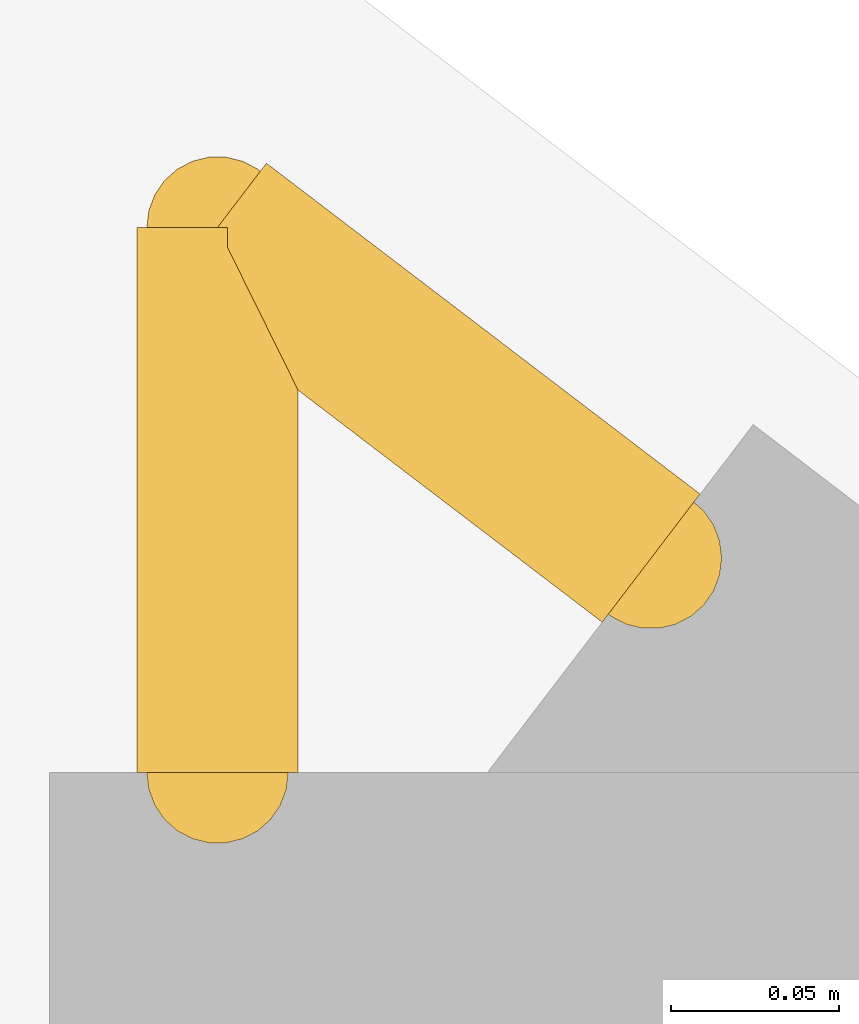
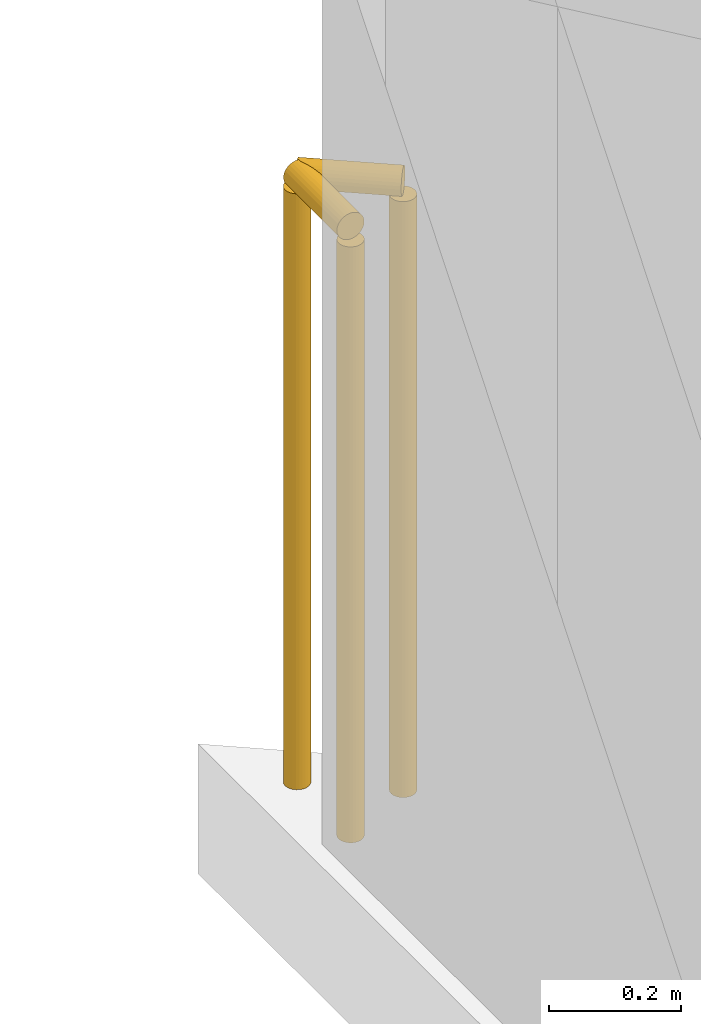
# One storey, part 16 of 16: 2 railings.
"""IFC4 building model written with IfcOpenShell, lengths in metres."""

from ifc_helpers import new_model, si_unit, direction, frame, origin, origin_2d, place, context, subcontext, project, spatial, circle, extrude, material, type_object, element, save


model = new_model("IFC4")

# Units and contexts
model_context = context("Model", 3, precision=1e-05, world=origin(), true_north=direction((0.0, 1.0)))
body_context = subcontext(model_context, "Body", "Model", "MODEL_VIEW")
ifc_project = project(units=[si_unit("LENGTHUNIT", "METRE"), si_unit("AREAUNIT", "SQUARE_METRE"), si_unit("VOLUMEUNIT", "CUBIC_METRE"), si_unit("PLANEANGLEUNIT", "RADIAN"), si_unit("MASSUNIT", "GRAM", prefix="KILO")], contexts=[model_context])

# Site, building, storey
site_placement = place(None, origin())
site = spatial("IfcSite", under=ifc_project, at=site_placement, CompositionType="ELEMENT")
building_placement = place(site_placement, origin())
building = spatial("IfcBuilding", under=site, at=building_placement, Name="Varnakote Quay Hospital", CompositionType="ELEMENT")
storey_placement = place(building_placement, frame((0.0, 0.0, 272.35009765625)))
storey = spatial("IfcBuildingStorey", under=building, at=storey_placement, Name="L67", CompositionType="ELEMENT", Elevation=272.35009765625)

# Railings
ifc_material = material(Name="Anodised aluminium 6063-T6 Bronze", Category="aluminium")
railing_type = type_object("IfcRailingType", Name="RLG-EXT-GUARD-1150", PredefinedType="GUARDRAIL", material=ifc_material)
railing_1_placement = place(storey_placement, frame((2.3798828125, 40.67626953125, 0.0)))
element("IfcRailing", 1, at=railing_1_placement, inside=storey, type_object=railing_type, Name="L67 Slab Edge Perimeter Safety Guard", PredefinedType="GUARDRAIL", context=body_context, shape_type="SweptSolid", body=[
    extrude(circle(Radius=0.02392578125, at=origin_2d()), frame((0.0, 0.0, 1.1259765625), z_axis=(0.0, 1.0, 0.0), x_axis=(-1.0, 0.0, 0.0)), (0.0, 0.0, 1.0), 0.161865234375),
    extrude(circle(Radius=0.02099609375, at=origin_2d()), origin(), (0.0, 0.0, 1.0), 1.101806640625),
    extrude(circle(Radius=0.02099609375, at=origin_2d()), frame((0.0, 0.161865234375, 0.0)), (0.0, 0.0, 1.0), 1.101806640625),
])
railing_2_placement = place(storey_placement, frame((2.3798828125, 40.838134765625, 0.0)))
element("IfcRailing", 2, at=railing_2_placement, inside=storey, type_object=railing_type, Name="L67 Slab Edge Perimeter Safety Guard", PredefinedType="GUARDRAIL", context=body_context, shape_type="SweptSolid", body=[
    extrude(circle(Radius=0.02392578125, at=origin_2d()), frame((0.0, 0.0, 1.1259765625), z_axis=(0.795085260009, -0.606497674618, 0.0), x_axis=(0.606497674618, 0.795085260009, 0.0)), (0.0, 0.0, 1.0), 0.161865234375),
    extrude(circle(Radius=0.02099609375, at=origin_2d()), origin(), (0.0, 0.0, 1.0), 1.101806640625),
    extrude(circle(Radius=0.02099609375, at=origin_2d()), frame((0.128662109375, -0.09814453125, 0.0)), (0.0, 0.0, 1.0), 1.101806640625),
])

save(model, "model.ifc")
